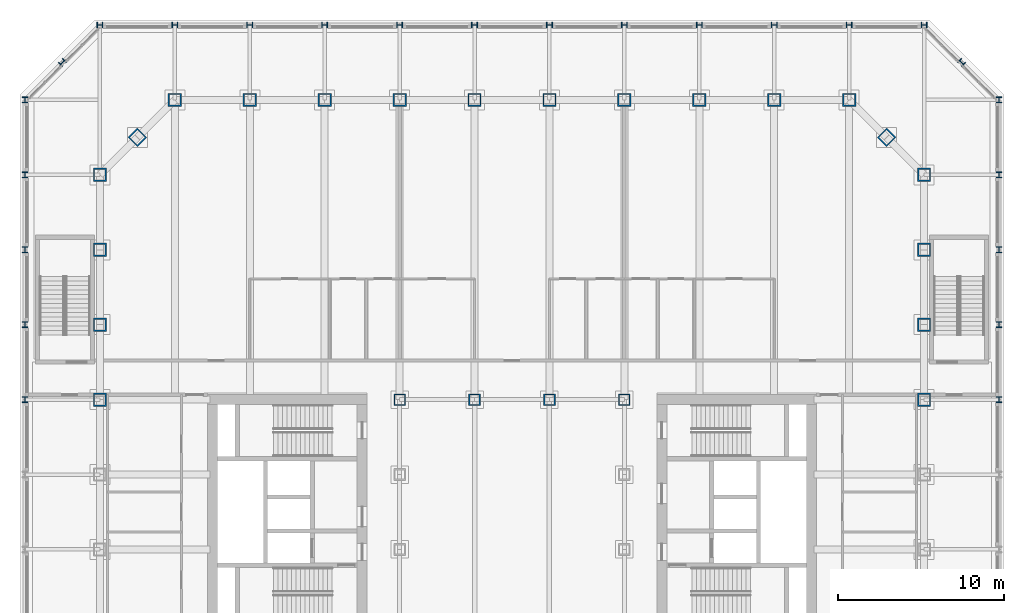
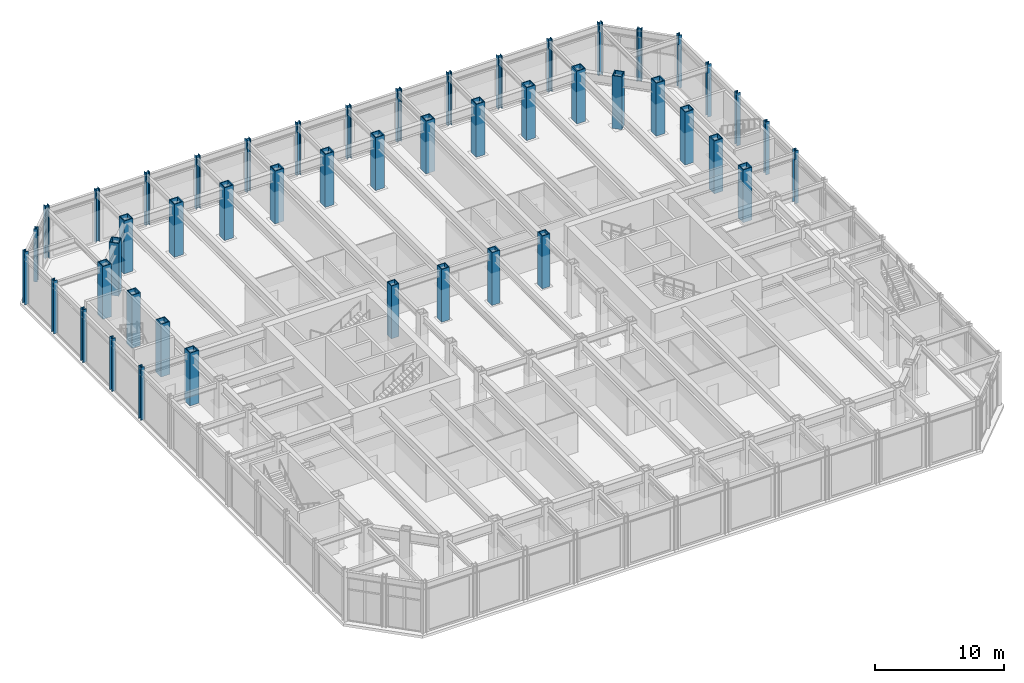
# One storey, part 3 of 19: 48 columns.
"""IFC4 building model written with IfcOpenShell, lengths in metres."""

from ifc_helpers import new_model, si_unit, direction, frame, origin, origin_2d, place, context, subcontext, project, spatial, hollow_rectangle, i_section, extrude, material, material_profile, profile_set, type_object, element, save


model = new_model("IFC4")

# Units and contexts
model_context = context("Model", 3, precision=1e-05, world=origin(), true_north=direction((0.0, 1.0)))
body_context = subcontext(model_context, "Body", "Model", "MODEL_VIEW")
ifc_project = project(units=[si_unit("LENGTHUNIT", "METRE"), si_unit("AREAUNIT", "SQUARE_METRE"), si_unit("VOLUMEUNIT", "CUBIC_METRE"), si_unit("PLANEANGLEUNIT", "RADIAN"), si_unit("MASSUNIT", "GRAM", prefix="KILO")], contexts=[model_context])

# Site, building, storey
site_placement = place(None, origin())
site = spatial("IfcSite", under=ifc_project, at=site_placement, CompositionType="ELEMENT")
building_placement = place(site_placement, origin())
building = spatial("IfcBuilding", under=site, at=building_placement, Name="Msasa Ring Tower", CompositionType="ELEMENT")
storey_placement = place(building_placement, frame((0.0, 0.0, 6.0)))
storey = spatial("IfcBuildingStorey", under=building, at=storey_placement, Name="L01", CompositionType="ELEMENT", Elevation=6.0)

# Columns
ifc_material_1 = material(Name="Steel S355", Category="steel")
ifc_material_profile_1 = material_profile(ifc_material_1, hollow_rectangle(XDim=0.699951171875, YDim=0.699951171875, WallThickness=0.070068359375, at=origin_2d()), Name="BOX 700x700x70")
ifc_profile_set_1 = profile_set([ifc_material_profile_1], Name="Steel S355")
column_type_1 = type_object("IfcColumnType", Name="IC1 BOX 700x700x70", PredefinedType="COLUMN", material=ifc_profile_set_1)
for number, where, z_axis, x_axis, name in (
    (1, (-6.75, 6.75, 0.0), (0.0, 0.0, 1.0), (1.0, 0.0, 0.0), "Inner ring column IR-6.75+6.75 L01"),
    (2, (-2.25, 6.75, 0.0), (0.0, 0.0, 1.0), (1.0, 0.0, 0.0), "Inner ring column IR-2.25+6.75 L01"),
    (3, (2.25, 6.75, 0.0), (0.0, 0.0, 1.0), (1.0, 0.0, 0.0), "Inner ring column IR+2.25+6.75 L01"),
    (4, (6.75, 6.75, 0.0), (0.0, 0.0, 1.0), (1.0, 0.0, 0.0), "Inner ring column IR+6.75+6.75 L01"),
):
    element("IfcColumn", number, at=place(storey_placement, frame(where, z_axis=z_axis, x_axis=x_axis)), inside=storey, type_object=column_type_1, Name=name, PredefinedType="COLUMN", context=body_context, shape_type="SweptSolid", body=[
        extrude(hollow_rectangle(XDim=0.699951171875, YDim=0.699951171875, WallThickness=0.070068359375, at=origin_2d()), origin(), (0.0, 0.0, 1.0), 5.0),
    ])
ifc_material_2 = material(Name="Steel S355", Category="steel")
ifc_material_profile_2 = material_profile(ifc_material_2, i_section(OverallWidth=0.322265625, OverallDepth=0.365234375, WebThickness=0.02685546875, FlangeThickness=0.044189453125, FilletRadius=0.01513671875, at=origin_2d()), Name="UC 305x305x283")
ifc_profile_set_2 = profile_set([ifc_material_profile_2], Name="Steel S355")
column_type_2 = type_object("IfcColumnType", Name="PC1 UC 305x305x283", PredefinedType="COLUMN", material=ifc_profile_set_2)
for number, where, z_axis, x_axis, name in (
    (5, (-24.75, 29.25, 0.0), (0.0, 0.0, 1.0), (0.0, 1.0, 0.0), "Podium column N-24.75 L01"),
    (6, (-20.25, 29.25, 0.0), (0.0, 0.0, 1.0), (0.0, 1.0, 0.0), "Podium column N-20.25 L01"),
    (7, (-15.75, 29.25, 0.0), (0.0, 0.0, 1.0), (0.0, 1.0, 0.0), "Podium column N-15.75 L01"),
    (8, (-11.25, 29.25, 0.0), (0.0, 0.0, 1.0), (0.0, 1.0, 0.0), "Podium column N-11.25 L01"),
    (9, (-6.75, 29.25, 0.0), (0.0, 0.0, 1.0), (0.0, 1.0, 0.0), "Podium column N-6.75 L01"),
    (10, (-2.25, 29.25, 0.0), (0.0, 0.0, 1.0), (0.0, 1.0, 0.0), "Podium column N-2.25 L01"),
    (11, (2.25, 29.25, 0.0), (0.0, 0.0, 1.0), (0.0, 1.0, 0.0), "Podium column N+2.25 L01"),
    (12, (6.75, 29.25, 0.0), (0.0, 0.0, 1.0), (0.0, 1.0, 0.0), "Podium column N+6.75 L01"),
    (13, (29.25, 6.75, 0.0), (0.0, 0.0, 1.0), (1.0, 0.0, 0.0), "Podium column E+6.75 L01"),
    (14, (-29.25, 6.75, 0.0), (0.0, 0.0, 1.0), (1.0, 0.0, 0.0), "Podium column W+6.75 L01"),
    (15, (11.25, 29.25, 0.0), (0.0, 0.0, 1.0), (0.0, 1.0, 0.0), "Podium column N+11.25 L01"),
    (16, (29.25, 11.25, 0.0), (0.0, 0.0, 1.0), (1.0, 0.0, 0.0), "Podium column E+11.25 L01"),
    (17, (-29.25, 11.25, 0.0), (0.0, 0.0, 1.0), (1.0, 0.0, 0.0), "Podium column W+11.25 L01"),
    (18, (15.75, 29.25, 0.0), (0.0, 0.0, 1.0), (0.0, 1.0, 0.0), "Podium column N+15.75 L01"),
    (19, (29.25, 15.75, 0.0), (0.0, 0.0, 1.0), (1.0, 0.0, 0.0), "Podium column E+15.75 L01"),
    (20, (-29.25, 15.75, 0.0), (0.0, 0.0, 1.0), (1.0, 0.0, 0.0), "Podium column W+15.75 L01"),
    (21, (20.25, 29.25, 0.0), (0.0, 0.0, 1.0), (0.0, 1.0, 0.0), "Podium column N+20.25 L01"),
    (22, (29.25, 20.25, 0.0), (0.0, 0.0, 1.0), (1.0, 0.0, 0.0), "Podium column E+20.25 L01"),
    (23, (-29.25, 20.25, 0.0), (0.0, 0.0, 1.0), (1.0, 0.0, 0.0), "Podium column W+20.25 L01"),
    (24, (24.75, 29.25, 0.0), (0.0, 0.0, 1.0), (0.0, 1.0, 0.0), "Podium column N+24.75 L01"),
    (25, (29.25, 24.75, 0.0), (0.0, 0.0, 1.0), (1.0, 0.0, 0.0), "Podium column E+24.75 L01"),
    (26, (-29.25, 24.75, 0.0), (0.0, 0.0, 1.0), (1.0, 0.0, 0.0), "Podium column W+24.75 L01"),
    (27, (27.0, 27.0, 0.0), (0.0, 0.0, 1.0), (0.707106781187, 0.707106781187, 0.0), "Podium column NE L01"),
    (28, (-27.0, 27.0, 0.0), (0.0, 0.0, 1.0), (0.707106781187, -0.707106781187, 0.0), "Podium column NW L01"),
):
    element("IfcColumn", number, at=place(storey_placement, frame(where, z_axis=z_axis, x_axis=x_axis)), inside=storey, type_object=column_type_2, Name=name, PredefinedType="COLUMN", context=body_context, shape_type="SweptSolid", body=[
        extrude(i_section(OverallWidth=0.322265625, OverallDepth=0.365234375, WebThickness=0.02685546875, FlangeThickness=0.044189453125, FilletRadius=0.01513671875, at=origin_2d()), origin(), (0.0, 0.0, 1.0), 5.0),
    ])
ifc_material_3 = material(Name="Steel S355", Category="steel")
ifc_material_profile_3 = material_profile(ifc_material_3, hollow_rectangle(XDim=0.800048828125, YDim=0.800048828125, WallThickness=0.080078125, at=origin_2d()), Name="BOX 800x800x80")
ifc_profile_set_3 = profile_set([ifc_material_profile_3], Name="Steel S355")
column_type_3 = type_object("IfcColumnType", Name="TC1 BOX 800x800x80", PredefinedType="COLUMN", material=ifc_profile_set_3)
for number, where, z_axis, x_axis, name in (
    (29, (-20.25, 24.75, 0.0), (0.0, 0.0, 1.0), (0.0, 1.0, 0.0), "Tube column N-20.25 L01"),
    (30, (-15.75, 24.75, 0.0), (0.0, 0.0, 1.0), (0.0, 1.0, 0.0), "Tube column N-15.75 L01"),
    (31, (-11.25, 24.75, 0.0), (0.0, 0.0, 1.0), (0.0, 1.0, 0.0), "Tube column N-11.25 L01"),
    (32, (-6.75, 24.75, 0.0), (0.0, 0.0, 1.0), (0.0, 1.0, 0.0), "Tube column N-6.75 L01"),
    (33, (-2.25, 24.75, 0.0), (0.0, 0.0, 1.0), (0.0, 1.0, 0.0), "Tube column N-2.25 L01"),
    (34, (2.25, 24.75, 0.0), (0.0, 0.0, 1.0), (0.0, 1.0, 0.0), "Tube column N+2.25 L01"),
    (35, (6.75, 24.75, 0.0), (0.0, 0.0, 1.0), (0.0, 1.0, 0.0), "Tube column N+6.75 L01"),
    (36, (24.75, 6.75, 0.0), (0.0, 0.0, 1.0), (1.0, 0.0, 0.0), "Tube column E+6.75 L01"),
    (37, (-24.75, 6.75, 0.0), (0.0, 0.0, 1.0), (1.0, 0.0, 0.0), "Tube column W+6.75 L01"),
    (38, (11.25, 24.75, 0.0), (0.0, 0.0, 1.0), (0.0, 1.0, 0.0), "Tube column N+11.25 L01"),
    (39, (24.75, 11.25, 0.0), (0.0, 0.0, 1.0), (1.0, 0.0, 0.0), "Tube column E+11.25 L01"),
    (40, (-24.75, 11.25, 0.0), (0.0, 0.0, 1.0), (1.0, 0.0, 0.0), "Tube column W+11.25 L01"),
    (41, (15.75, 24.75, 0.0), (0.0, 0.0, 1.0), (0.0, 1.0, 0.0), "Tube column N+15.75 L01"),
    (42, (24.75, 15.75, 0.0), (0.0, 0.0, 1.0), (1.0, 0.0, 0.0), "Tube column E+15.75 L01"),
    (43, (-24.75, 15.75, 0.0), (0.0, 0.0, 1.0), (1.0, 0.0, 0.0), "Tube column W+15.75 L01"),
    (44, (20.25, 24.75, 0.0), (0.0, 0.0, 1.0), (0.0, 1.0, 0.0), "Tube column N+20.25 L01"),
    (45, (24.75, 20.25, 0.0), (0.0, 0.0, 1.0), (1.0, 0.0, 0.0), "Tube column E+20.25 L01"),
    (46, (-24.75, 20.25, 0.0), (0.0, 0.0, 1.0), (1.0, 0.0, 0.0), "Tube column W+20.25 L01"),
    (47, (22.5, 22.5, 0.0), (0.0, 0.0, 1.0), (0.707106781187, 0.707106781187, 0.0), "Tube column NE L01"),
    (48, (-22.5, 22.5, 0.0), (0.0, 0.0, 1.0), (0.707106781187, -0.707106781187, 0.0), "Tube column NW L01"),
):
    element("IfcColumn", number, at=place(storey_placement, frame(where, z_axis=z_axis, x_axis=x_axis)), inside=storey, type_object=column_type_3, Name=name, PredefinedType="COLUMN", context=body_context, shape_type="SweptSolid", body=[
        extrude(hollow_rectangle(XDim=0.800048828125, YDim=0.800048828125, WallThickness=0.080078125, at=origin_2d()), origin(), (0.0, 0.0, 1.0), 5.0),
    ])

save(model, "model.ifc")
